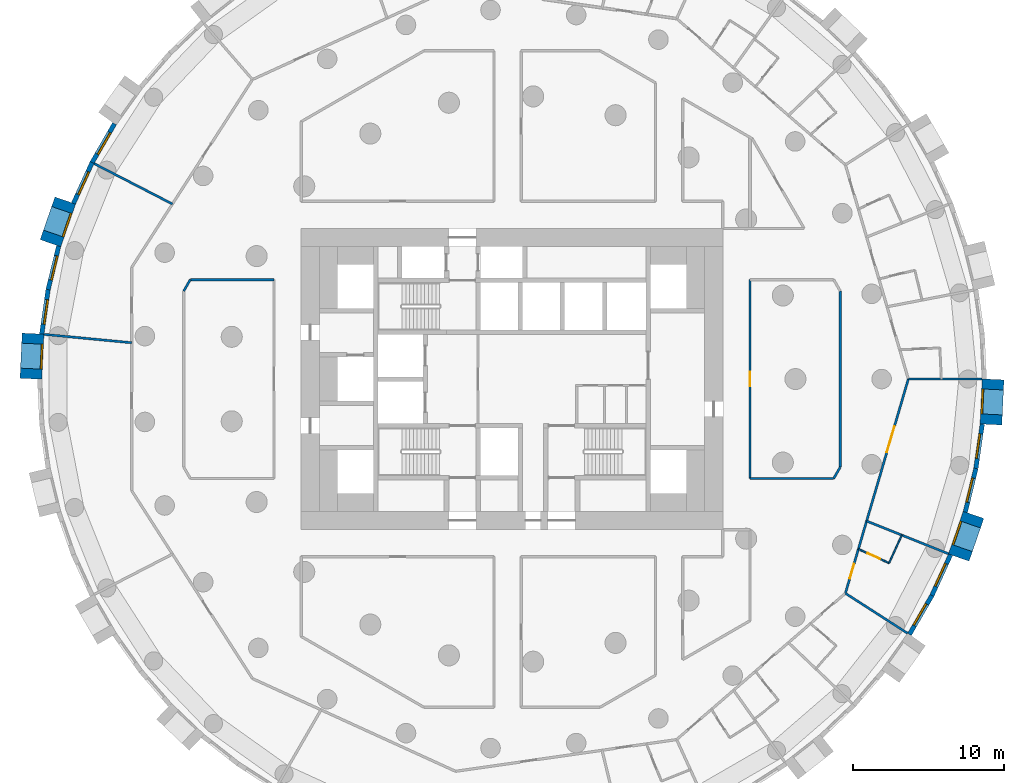
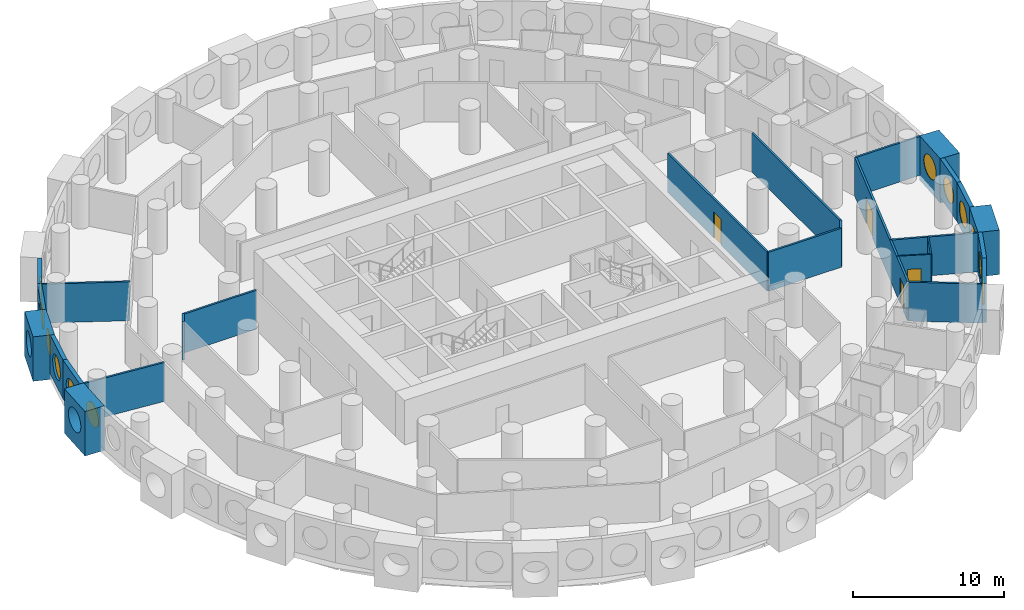
# One storey, part 6 of 12: 26 walls, 12 windows, 4 doors, 16 openings.
"""IFC4 building model written with IfcOpenShell, lengths in metres."""

import ifcopenshell
import ifcopenshell.guid

model = None  # the IFC model being written
_history = None  # IfcOwnerHistory: only IFC2X3 demands one
_inside = {}  # id of a spatial element -> (the spatial element, [elements in it])
_under = {}  # id of a project, library or spatial element -> (it, [spatial elements below it])
_declared = {}  # id of a project -> (the project, [libraries it declares])
_typed = {}  # id of a type object -> (the type object, [elements of that type])
_made_of = {}  # id of a material, layer set ... -> (it, [elements and type objects made of it])


def new_model(schema):
    """Start an empty IFC model of exactly this schema.

    Asked for "IFC4X3", IfcOpenShell would pick the latest addendum, in which some entities
    have other attributes; the version numbers below select the first issue.
    IFC2X3 requires an IfcOwnerHistory on every rooted entity: one is made here for all.
    """
    global model, _history
    if schema == "IFC4X3":
        model = ifcopenshell.file(schema_version=(4, 3, 0, 0))
    else:
        model = ifcopenshell.file(schema=schema)
    _inside.clear()
    _under.clear()
    _declared.clear()
    _typed.clear()
    _made_of.clear()
    _history = None
    if model.schema == "IFC2X3":
        org = make("IfcOrganization", Name="unknown")
        user = make(
            "IfcPersonAndOrganization",
            ThePerson=make("IfcPerson", FamilyName="unknown"),
            TheOrganization=org,
        )
        app = make(
            "IfcApplication",
            ApplicationDeveloper=org,
            Version="unknown",
            ApplicationFullName="unknown",
            ApplicationIdentifier="unknown",
        )
        _history = make(
            "IfcOwnerHistory",
            OwningUser=user,
            OwningApplication=app,
            ChangeAction="ADDED",
            CreationDate=0,
        )
    return model


def make(cls, **values):
    """One entity of the class cls with the attributes given. An attribute that is None is left unset."""
    return model.create_entity(
        cls, **{name: value for name, value in values.items() if value is not None}
    )


def rooted(cls, **values):
    """An entity with a GlobalId (a new one), such as an element, a storey or a relation."""
    return make(cls, GlobalId=ifcopenshell.guid.new(), OwnerHistory=_history, **values)


def si_unit(unit_type, name, prefix=None):
    """IfcSIUnit, for example si_unit("LENGTHUNIT", "METRE", prefix="MILLI")."""
    return make("IfcSIUnit", UnitType=unit_type, Prefix=prefix, Name=name)


def assignment(units):
    """IfcUnitAssignment: the units of a project."""
    return None if units is None else make("IfcUnitAssignment", Units=units)


def point(xyz):
    """IfcCartesianPoint."""
    return None if xyz is None else make("IfcCartesianPoint", Coordinates=xyz)


def direction(xyz):
    """IfcDirection."""
    return None if xyz is None else make("IfcDirection", DirectionRatios=xyz)


def frame(location, z_axis=None, x_axis=None):
    """IfcAxis2Placement3D, a coordinate frame: its origin and axes. An axis left out is left unset."""
    return make(
        "IfcAxis2Placement3D",
        Location=point(location),
        Axis=direction(z_axis),
        RefDirection=direction(x_axis),
    )


def frame_2d(location, x_axis=None):
    """IfcAxis2Placement2D, a coordinate frame in the plane: its origin and x axis."""
    return make(
        "IfcAxis2Placement2D", Location=point(location), RefDirection=direction(x_axis)
    )


def origin():
    """The frame at (0, 0, 0) with its axes left unset."""
    return frame((0.0, 0.0, 0.0))


def origin_2d():
    """The frame at (0, 0) in the plane with its x axis left unset."""
    return frame_2d((0.0, 0.0))


def place(relative_to, where):
    """IfcLocalPlacement: puts the frame where relative to a parent placement (None: the world)."""
    return make(
        "IfcLocalPlacement", PlacementRelTo=relative_to, RelativePlacement=where
    )


def context(
    kind, dimensions, precision=None, world=None, true_north=None, identifier=None
):
    """IfcGeometricRepresentationContext, for example the 3D "Model" context."""
    return make(
        "IfcGeometricRepresentationContext",
        ContextIdentifier=identifier,
        ContextType=kind,
        CoordinateSpaceDimension=dimensions,
        Precision=precision,
        WorldCoordinateSystem=world,
        TrueNorth=true_north,
    )


def subcontext(parent, identifier, kind, view, scale=None):
    """IfcGeometricRepresentationSubContext, for example "Body" below "Model"."""
    return make(
        "IfcGeometricRepresentationSubContext",
        ContextIdentifier=identifier,
        ContextType=kind,
        ParentContext=parent,
        TargetScale=scale,
        TargetView=view,
    )


def project(units=None, contexts=None):
    """IfcProject with its units and contexts."""
    return rooted(
        "IfcProject",
        Name="project",
        RepresentationContexts=contexts,
        UnitsInContext=assignment(units),
    )


def spatial(cls, under=None, at=None, **own):
    """A site, building, storey or space (cls), placed at a placement, below another one or the project."""
    s = rooted(cls, ObjectPlacement=at, **own)
    if under is not None:
        _under.setdefault(under.id(), (under, []))[1].append(s)
    return s


def profile(cls, at=None, kind="AREA", **sizes):
    """A parametric profile (cls). Its sizes go by their IFC names, for example OverallWidth=200.0."""
    return make(cls, ProfileType=kind, Position=at, **sizes)


def rectangle(**sizes):
    """IfcRectangleProfileDef."""
    return profile("IfcRectangleProfileDef", **sizes)


def circle(**sizes):
    """IfcCircleProfileDef."""
    return profile("IfcCircleProfileDef", **sizes)


def extrude(swept, where, along, depth):
    """IfcExtrudedAreaSolid: the profile swept, set in the frame where, extruded along a direction by depth."""
    return make(
        "IfcExtrudedAreaSolid",
        SweptArea=swept,
        Position=where,
        ExtrudedDirection=direction(along),
        Depth=depth,
    )


def shape(context_of_items, identifier, shape_type, items):
    """IfcShapeRepresentation: the items that make up one representation, for example the "Body"."""
    return make(
        "IfcShapeRepresentation",
        ContextOfItems=context_of_items,
        RepresentationIdentifier=identifier,
        RepresentationType=shape_type,
        Items=items,
    )


def material(Name=None, Category=None):
    """IfcMaterial."""
    return make("IfcMaterial", Name=Name, Category=Category)


def layer(
    of_material, thickness, ventilated=None, Name=None, Category=None, Priority=None
):
    """IfcMaterialLayer: one layer of a wall or slab, of a material (None: an air gap)."""
    return make(
        "IfcMaterialLayer",
        Material=of_material,
        LayerThickness=thickness,
        IsVentilated=ventilated,
        Name=Name,
        Category=Category,
        Priority=Priority,
    )


def layer_set(layers, Name=None):
    """IfcMaterialLayerSet."""
    return make("IfcMaterialLayerSet", MaterialLayers=layers, LayerSetName=Name)


def made_of(thing, what):
    """Note that an element or type object is made of a material, layer set ...; save() writes the relation."""
    if what is not None:
        _made_of.setdefault(what.id(), (what, []))[1].append(thing)
    return thing


def type_object(cls, material=None, **own):
    """A type object (cls), such as IfcWallType, which elements share."""
    return made_of(rooted(cls, **own), material)


def element(
    cls,
    number,
    at=None,
    inside=None,
    cuts=None,
    type_object=None,
    material=None,
    context=None,
    identifier="Body",
    shape_type=None,
    held_by="IfcProductDefinitionShape",
    body=None,
    shapes=None,
    **own,
):
    """One element of the class cls, such as IfcWall. Its Tag is "e" and its number.

    at: its placement. inside: the storey or other place that contains it. cuts: it is an
    opening in that element (IfcRelVoidsElement). A single representation is given by context,
    identifier, shape_type and body (its items); several are given by shapes. held_by: the class
    of the entity that holds the representations. save() writes the other relations.
    """
    e = rooted(cls, Tag="e%d" % number, ObjectPlacement=at, **own)
    if body is not None:
        shapes = [shape(context, identifier, shape_type, body)]
    if shapes is not None:
        e.Representation = make(held_by, Representations=shapes)
    if inside is not None:
        _inside.setdefault(inside.id(), (inside, []))[1].append(e)
    if cuts is not None:
        rooted(
            "IfcRelVoidsElement", RelatingBuildingElement=cuts, RelatedOpeningElement=e
        )
    if type_object is not None:
        _typed.setdefault(type_object.id(), (type_object, []))[1].append(e)
    return made_of(e, material)


def fill(opening, filler):
    """IfcRelFillsElement: the door or window that sits in an opening."""
    return rooted(
        "IfcRelFillsElement",
        RelatingOpeningElement=opening,
        RelatedBuildingElement=filler,
    )


def aggregate(whole, parts):
    """IfcRelAggregates: a whole, such as a stair, and the parts it consists of."""
    return rooted("IfcRelAggregates", RelatingObject=whole, RelatedObjects=parts)


def save(model, path):
    """Write the relations noted so far, then the file.

    IfcRelAggregates (storeys below a building ...), IfcRelContainedInSpatialStructure (elements
    in a storey), IfcRelDefinesByType, IfcRelAssociatesMaterial and IfcRelDeclares: one each for
    every whole, place, type object, material and project.
    """
    for whole, parts in _under.values():
        aggregate(whole, parts)
    for where, things in _inside.values():
        rooted(
            "IfcRelContainedInSpatialStructure",
            RelatedElements=things,
            RelatingStructure=where,
        )
    for kind, things in _typed.values():
        rooted("IfcRelDefinesByType", RelatedObjects=things, RelatingType=kind)
    for what, things in _made_of.values():
        rooted("IfcRelAssociatesMaterial", RelatedObjects=things, RelatingMaterial=what)
    for by, libraries in _declared.values():
        rooted("IfcRelDeclares", RelatingContext=by, RelatedDefinitions=libraries)
    model.write(path)


model = new_model("IFC4")

# Units and contexts
model_context = context("Model", 3, precision=1e-05, world=origin(), true_north=direction((0.0, 1.0)))
body_context = subcontext(model_context, "Body", "Model", "MODEL_VIEW")
ifc_project = project(units=[si_unit("LENGTHUNIT", "METRE"), si_unit("AREAUNIT", "SQUARE_METRE"), si_unit("VOLUMEUNIT", "CUBIC_METRE"), si_unit("PLANEANGLEUNIT", "RADIAN"), si_unit("MASSUNIT", "GRAM", prefix="KILO")], contexts=[model_context])

# Site, building, storey
site_placement = place(None, origin())
site = spatial("IfcSite", under=ifc_project, at=site_placement, CompositionType="ELEMENT")
building_placement = place(site_placement, origin())
building = spatial("IfcBuilding", under=site, at=building_placement, Name="Tracery Tower", CompositionType="ELEMENT")
storey_placement = place(building_placement, frame((0.0, 0.0, 71.39990234375)))
storey = spatial("IfcBuildingStorey", under=building, at=storey_placement, Name="L17", CompositionType="ELEMENT", Elevation=71.39990234375)

# Wall, opening, window
ifc_material_1 = material(Name="Precast concrete C50/60", Category="concrete")
ifc_layer_1 = layer(ifc_material_1, 1.449951171875)
ifc_layer_set_1 = layer_set([ifc_layer_1], Name="Deep-set bay unit 3000 x 3600, slab edge 450")
wall_type_1 = type_object("IfcWallType", Name="Deep-set bay unit 3000 x 3600, slab edge 450", PredefinedType="ELEMENTEDWALL", material=ifc_layer_set_1)
wall_1_placement = place(storey_placement, frame((-29.66796875, 11.85546875, -0.449951171875), z_axis=(0.0, 0.0, 1.0), x_axis=(-0.327071431777, -0.944999618262, 0.0)))
wall_1 = element("IfcWall", 1, at=wall_1_placement, inside=storey, type_object=wall_type_1, Name="Deep-set bay unit 30 at L17", PredefinedType="ELEMENTEDWALL", context=body_context, shape_type="SweptSolid", body=[
    extrude(rectangle(XDim=3.0, YDim=1.449951171875, at=frame_2d((1.5, 0.0))), origin(), (0.0, 0.0, 1.0), 3.60009765625),
])
opening_1_placement = place(wall_1_placement, frame((1.5, 0.0, 2.0)))
opening_1 = element("IfcOpeningElement", 2, at=opening_1_placement, cuts=wall_1, Name="Opening WN1", PredefinedType="OPENING", context=body_context, shape_type="SweptSolid", body=[
    extrude(circle(Radius=0.9000244140625, at=origin_2d()), frame((0.0, 0.73486328125, 0.0), z_axis=(0.0, -1.0, 0.0), x_axis=(1.0, 0.0, 0.0)), (0.0, 0.0, 1.0), 1.469970703125),
])
ifc_material_2 = material(Name="Aluminium frame with tinted double glazing", Category="aluminium")
window_type = type_object("IfcWindowType", Name="Round window 1800", PartitioningType="SINGLE_PANEL", PredefinedType="WINDOW", material=ifc_material_2)
window_1_placement = place(opening_1_placement, origin())
window_1 = element("IfcWindow", 3, at=window_1_placement, inside=storey, type_object=window_type, Name="Round window 30 at L17", OverallHeight=1.800048828125, OverallWidth=1.800048828125, PartitioningType="SINGLE_PANEL", PredefinedType="WINDOW", context=body_context, shape_type="SweptSolid", body=[
    extrude(circle(Radius=0.9000244140625, at=origin_2d()), frame((0.0, 0.69482421875, 0.0), z_axis=(0.0, -1.0, 0.0), x_axis=(1.0, 0.0, 0.0)), (0.0, 0.0, 1.0), 0.10009765625),
])
fill(opening_1, window_1)

wall_2_placement = place(storey_placement, frame((-31.806396484375, 3.016845703125, -0.449951171875), z_axis=(0.0, 0.0, 1.0), x_axis=(-0.047607680889, -0.998866111509, 0.0)))
wall_2 = element("IfcWall", 4, at=wall_2_placement, inside=storey, type_object=wall_type_1, Name="Deep-set bay unit 33 at L17", PredefinedType="ELEMENTEDWALL", context=body_context, shape_type="SweptSolid", body=[
    extrude(rectangle(XDim=3.0, YDim=1.449951171875, at=frame_2d((1.5, 0.0))), origin(), (0.0, 0.0, 1.0), 3.60009765625),
])
opening_2_placement = place(wall_2_placement, frame((1.5, 0.0, 2.0)))
opening_2 = element("IfcOpeningElement", 5, at=opening_2_placement, cuts=wall_2, Name="Opening WN1", PredefinedType="OPENING", context=body_context, shape_type="SweptSolid", body=[
    extrude(circle(Radius=0.9000244140625, at=origin_2d()), frame((0.0, 0.73486328125, 0.0), z_axis=(0.0, -1.0, 0.0), x_axis=(1.0, 0.0, 0.0)), (0.0, 0.0, 1.0), 1.469970703125),
])
window_2_placement = place(opening_2_placement, origin())
window_2 = element("IfcWindow", 6, at=window_2_placement, inside=storey, type_object=window_type, Name="Round window 33 at L17", OverallHeight=1.800048828125, OverallWidth=1.800048828125, PartitioningType="SINGLE_PANEL", PredefinedType="WINDOW", context=body_context, shape_type="SweptSolid", body=[
    extrude(circle(Radius=0.9000244140625, at=origin_2d()), frame((0.0, 0.69482421875, 0.0), z_axis=(0.0, -1.0, 0.0), x_axis=(1.0, 0.0, 0.0)), (0.0, 0.0, 1.0), 0.10009765625),
])
fill(opening_2, window_2)

wall_3_placement = place(storey_placement, frame((29.66796875, -11.85546875, -0.449951171875), z_axis=(0.0, 0.0, 1.0), x_axis=(0.327071431777, 0.944999618262, 0.0)))
wall_3 = element("IfcWall", 7, at=wall_3_placement, inside=storey, type_object=wall_type_1, Name="Deep-set bay unit 63 at L17", PredefinedType="ELEMENTEDWALL", context=body_context, shape_type="SweptSolid", body=[
    extrude(rectangle(XDim=3.0, YDim=1.449951171875, at=frame_2d((1.5, 0.0))), origin(), (0.0, 0.0, 1.0), 3.60009765625),
])
opening_3_placement = place(wall_3_placement, frame((1.5, 0.0, 2.0)))
opening_3 = element("IfcOpeningElement", 8, at=opening_3_placement, cuts=wall_3, Name="Opening WN1", PredefinedType="OPENING", context=body_context, shape_type="SweptSolid", body=[
    extrude(circle(Radius=0.9000244140625, at=origin_2d()), frame((0.0, 0.73486328125, 0.0), z_axis=(0.0, -1.0, 0.0), x_axis=(1.0, 0.0, 0.0)), (0.0, 0.0, 1.0), 1.469970703125),
])
window_3_placement = place(opening_3_placement, origin())
window_3 = element("IfcWindow", 9, at=window_3_placement, inside=storey, type_object=window_type, Name="Round window 63 at L17", OverallHeight=1.800048828125, OverallWidth=1.800048828125, PartitioningType="SINGLE_PANEL", PredefinedType="WINDOW", context=body_context, shape_type="SweptSolid", body=[
    extrude(circle(Radius=0.9000244140625, at=origin_2d()), frame((0.0, 0.69482421875, 0.0), z_axis=(0.0, -1.0, 0.0), x_axis=(1.0, 0.0, 0.0)), (0.0, 0.0, 1.0), 0.10009765625),
])
fill(opening_3, window_3)

wall_4_placement = place(storey_placement, frame((31.806396484375, -3.016845703125, -0.449951171875), z_axis=(0.0, 0.0, 1.0), x_axis=(0.047607680889, 0.998866111509, 0.0)))
wall_4 = element("IfcWall", 10, at=wall_4_placement, inside=storey, type_object=wall_type_1, Name="Deep-set bay unit 66 at L17", PredefinedType="ELEMENTEDWALL", context=body_context, shape_type="SweptSolid", body=[
    extrude(rectangle(XDim=3.0, YDim=1.449951171875, at=frame_2d((1.5, 0.0))), origin(), (0.0, 0.0, 1.0), 3.60009765625),
])
opening_4_placement = place(wall_4_placement, frame((1.5, 0.0, 2.0)))
opening_4 = element("IfcOpeningElement", 11, at=opening_4_placement, cuts=wall_4, Name="Opening WN1", PredefinedType="OPENING", context=body_context, shape_type="SweptSolid", body=[
    extrude(circle(Radius=0.9000244140625, at=origin_2d()), frame((0.0, 0.73486328125, 0.0), z_axis=(0.0, -1.0, 0.0), x_axis=(1.0, 0.0, 0.0)), (0.0, 0.0, 1.0), 1.469970703125),
])
window_4_placement = place(opening_4_placement, origin())
window_4 = element("IfcWindow", 12, at=window_4_placement, inside=storey, type_object=window_type, Name="Round window 66 at L17", OverallHeight=1.800048828125, OverallWidth=1.800048828125, PartitioningType="SINGLE_PANEL", PredefinedType="WINDOW", context=body_context, shape_type="SweptSolid", body=[
    extrude(circle(Radius=0.9000244140625, at=origin_2d()), frame((0.0, 0.69482421875, 0.0), z_axis=(0.0, -1.0, 0.0), x_axis=(1.0, 0.0, 0.0)), (0.0, 0.0, 1.0), 0.10009765625),
])
fill(opening_4, window_4)

ifc_material_3 = material(Name="Precast concrete C50/60", Category="concrete")
ifc_layer_2 = layer(ifc_material_3, 0.300048828125)
ifc_layer_set_2 = layer_set([ifc_layer_2], Name="Facade panel 3000 x 3150")
wall_type_2 = type_object("IfcWallType", Name="Facade panel 3000 x 3150", PredefinedType="SOLIDWALL", material=ifc_layer_set_2)
wall_5_placement = place(storey_placement, frame((-26.39697265625, 16.95703125, 0.0), z_axis=(0.0, 0.0, 1.0), x_axis=(-0.499999078476, -0.866025935826, 0.0)))
wall_5 = element("IfcWall", 13, at=wall_5_placement, inside=storey, type_object=wall_type_2, Name="Facade panel 28 at L17", PredefinedType="SOLIDWALL", context=body_context, shape_type="SweptSolid", body=[
    extrude(rectangle(XDim=2.9794921875, YDim=0.300048828125, at=frame_2d((1.48974609375, 0.0))), origin(), (0.0, 0.0, 1.0), 3.150146484375),
])
opening_5_placement = place(wall_5_placement, frame((1.48974609375, 0.0, 1.5498046875)))
opening_5 = element("IfcOpeningElement", 14, at=opening_5_placement, cuts=wall_5, Name="Opening WN1", PredefinedType="OPENING", context=body_context, shape_type="SweptSolid", body=[
    extrude(circle(Radius=0.9000244140625, at=origin_2d()), frame((0.0, 0.159912109375, 0.0), z_axis=(0.0, -1.0, 0.0), x_axis=(1.0, 0.0, 0.0)), (0.0, 0.0, 1.0), 0.320068359375),
])
window_5_placement = place(opening_5_placement, origin())
window_5 = element("IfcWindow", 15, at=window_5_placement, inside=storey, type_object=window_type, Name="Round window 28 at L17", OverallHeight=1.800048828125, OverallWidth=1.800048828125, PartitioningType="SINGLE_PANEL", PredefinedType="WINDOW", context=body_context, shape_type="SweptSolid", body=[
    extrude(circle(Radius=0.9000244140625, at=origin_2d()), frame((0.0, 0.1201171875, 0.0), z_axis=(0.0, -1.0, 0.0), x_axis=(1.0, 0.0, 0.0)), (0.0, 0.0, 1.0), 0.10009765625),
])
fill(opening_5, window_5)

wall_6_placement = place(storey_placement, frame((-27.88671875, 14.376708984375, 0.0), z_axis=(0.0, 0.0, 1.0), x_axis=(-0.415407317162, -0.909635509888, 0.0)))
wall_6 = element("IfcWall", 16, at=wall_6_placement, inside=storey, type_object=wall_type_2, Name="Facade panel 29 at L17", PredefinedType="SOLIDWALL", context=body_context, shape_type="SweptSolid", body=[
    extrude(rectangle(XDim=2.979736328125, YDim=0.300048828125, at=frame_2d((1.48974609375, 0.0))), origin(), (0.0, 0.0, 1.0), 3.150146484375),
])
opening_6_placement = place(wall_6_placement, frame((1.48974609375, 0.0, 1.5498046875)))
opening_6 = element("IfcOpeningElement", 17, at=opening_6_placement, cuts=wall_6, Name="Opening WN1", PredefinedType="OPENING", context=body_context, shape_type="SweptSolid", body=[
    extrude(circle(Radius=0.9000244140625, at=origin_2d()), frame((0.0, 0.159912109375, 0.0), z_axis=(0.0, -1.0, 0.0), x_axis=(1.0, 0.0, 0.0)), (0.0, 0.0, 1.0), 0.320068359375),
])
window_6_placement = place(opening_6_placement, origin())
window_6 = element("IfcWindow", 18, at=window_6_placement, inside=storey, type_object=window_type, Name="Round window 29 at L17", OverallHeight=1.800048828125, OverallWidth=1.800048828125, PartitioningType="SINGLE_PANEL", PredefinedType="WINDOW", context=body_context, shape_type="SweptSolid", body=[
    extrude(circle(Radius=0.9000244140625, at=origin_2d()), frame((0.0, 0.1201171875, 0.0), z_axis=(0.0, -1.0, 0.0), x_axis=(1.0, 0.0, 0.0)), (0.0, 0.0, 1.0), 0.10009765625),
])
fill(opening_6, window_6)

wall_7_placement = place(storey_placement, frame((-30.10498046875, 8.833251953125, 0.0), z_axis=(0.0, 0.0, 1.0), x_axis=(-0.235743081534, -0.971815414319, 0.0)))
wall_7 = element("IfcWall", 19, at=wall_7_placement, inside=storey, type_object=wall_type_2, Name="Facade panel 31 at L17", PredefinedType="SOLIDWALL", context=body_context, shape_type="SweptSolid", body=[
    extrude(rectangle(XDim=2.9794921875, YDim=0.300048828125, at=frame_2d((1.48974609375, 0.0))), origin(), (0.0, 0.0, 1.0), 3.150146484375),
])
opening_7_placement = place(wall_7_placement, frame((1.48974609375, 0.0, 1.5498046875)))
opening_7 = element("IfcOpeningElement", 20, at=opening_7_placement, cuts=wall_7, Name="Opening WN1", PredefinedType="OPENING", context=body_context, shape_type="SweptSolid", body=[
    extrude(circle(Radius=0.9000244140625, at=origin_2d()), frame((0.0, 0.159912109375, 0.0), z_axis=(0.0, -1.0, 0.0), x_axis=(1.0, 0.0, 0.0)), (0.0, 0.0, 1.0), 0.320068359375),
])
window_7_placement = place(opening_7_placement, origin())
window_7 = element("IfcWindow", 21, at=window_7_placement, inside=storey, type_object=window_type, Name="Round window 31 at L17", OverallHeight=1.800048828125, OverallWidth=1.800048828125, PartitioningType="SINGLE_PANEL", PredefinedType="WINDOW", context=body_context, shape_type="SweptSolid", body=[
    extrude(circle(Radius=0.9000244140625, at=origin_2d()), frame((0.0, 0.1201171875, 0.0), z_axis=(0.0, -1.0, 0.0), x_axis=(1.0, 0.0, 0.0)), (0.0, 0.0, 1.0), 0.10009765625),
])
fill(opening_7, window_7)

wall_8_placement = place(storey_placement, frame((-30.807373046875, 5.937744140625, 0.0), z_axis=(0.0, 0.0, 1.0), x_axis=(-0.142315996627, -0.989821275334, 0.0)))
wall_8 = element("IfcWall", 22, at=wall_8_placement, inside=storey, type_object=wall_type_2, Name="Facade panel 32 at L17", PredefinedType="SOLIDWALL", context=body_context, shape_type="SweptSolid", body=[
    extrude(rectangle(XDim=2.979736328125, YDim=0.300048828125, at=frame_2d((1.48974609375, 0.0))), origin(), (0.0, 0.0, 1.0), 3.150146484375),
])
opening_8_placement = place(wall_8_placement, frame((1.48974609375, 0.0, 1.5498046875)))
opening_8 = element("IfcOpeningElement", 23, at=opening_8_placement, cuts=wall_8, Name="Opening WN1", PredefinedType="OPENING", context=body_context, shape_type="SweptSolid", body=[
    extrude(circle(Radius=0.9000244140625, at=origin_2d()), frame((0.0, 0.159912109375, 0.0), z_axis=(0.0, -1.0, 0.0), x_axis=(1.0, 0.0, 0.0)), (0.0, 0.0, 1.0), 0.320068359375),
])
window_8_placement = place(opening_8_placement, origin())
window_8 = element("IfcWindow", 24, at=window_8_placement, inside=storey, type_object=window_type, Name="Round window 32 at L17", OverallHeight=1.800048828125, OverallWidth=1.800048828125, PartitioningType="SINGLE_PANEL", PredefinedType="WINDOW", context=body_context, shape_type="SweptSolid", body=[
    extrude(circle(Radius=0.9000244140625, at=origin_2d()), frame((0.0, 0.1201171875, 0.0), z_axis=(0.0, -1.0, 0.0), x_axis=(1.0, 0.0, 0.0)), (0.0, 0.0, 1.0), 0.10009765625),
])
fill(opening_8, window_8)

wall_9_placement = place(storey_placement, frame((26.39697265625, -16.95703125, 0.0), z_axis=(0.0, 0.0, 1.0), x_axis=(0.499999078476, 0.866025935826, 0.0)))
wall_9 = element("IfcWall", 25, at=wall_9_placement, inside=storey, type_object=wall_type_2, Name="Facade panel 61 at L17", PredefinedType="SOLIDWALL", context=body_context, shape_type="SweptSolid", body=[
    extrude(rectangle(XDim=2.9794921875, YDim=0.300048828125, at=frame_2d((1.48974609375, 0.0))), origin(), (0.0, 0.0, 1.0), 3.150146484375),
])
opening_9_placement = place(wall_9_placement, frame((1.48974609375, 0.0, 1.5498046875)))
opening_9 = element("IfcOpeningElement", 26, at=opening_9_placement, cuts=wall_9, Name="Opening WN1", PredefinedType="OPENING", context=body_context, shape_type="SweptSolid", body=[
    extrude(circle(Radius=0.9000244140625, at=origin_2d()), frame((0.0, 0.159912109375, 0.0), z_axis=(0.0, -1.0, 0.0), x_axis=(1.0, 0.0, 0.0)), (0.0, 0.0, 1.0), 0.320068359375),
])
window_9_placement = place(opening_9_placement, origin())
window_9 = element("IfcWindow", 27, at=window_9_placement, inside=storey, type_object=window_type, Name="Round window 61 at L17", OverallHeight=1.800048828125, OverallWidth=1.800048828125, PartitioningType="SINGLE_PANEL", PredefinedType="WINDOW", context=body_context, shape_type="SweptSolid", body=[
    extrude(circle(Radius=0.9000244140625, at=origin_2d()), frame((0.0, 0.1201171875, 0.0), z_axis=(0.0, -1.0, 0.0), x_axis=(1.0, 0.0, 0.0)), (0.0, 0.0, 1.0), 0.10009765625),
])
fill(opening_9, window_9)

wall_10_placement = place(storey_placement, frame((27.88671875, -14.376708984375, 0.0), z_axis=(0.0, 0.0, 1.0), x_axis=(0.415407317162, 0.909635509888, 0.0)))
wall_10 = element("IfcWall", 28, at=wall_10_placement, inside=storey, type_object=wall_type_2, Name="Facade panel 62 at L17", PredefinedType="SOLIDWALL", context=body_context, shape_type="SweptSolid", body=[
    extrude(rectangle(XDim=2.979736328125, YDim=0.300048828125, at=frame_2d((1.48974609375, 0.0))), origin(), (0.0, 0.0, 1.0), 3.150146484375),
])
opening_10_placement = place(wall_10_placement, frame((1.48974609375, 0.0, 1.5498046875)))
opening_10 = element("IfcOpeningElement", 29, at=opening_10_placement, cuts=wall_10, Name="Opening WN1", PredefinedType="OPENING", context=body_context, shape_type="SweptSolid", body=[
    extrude(circle(Radius=0.9000244140625, at=origin_2d()), frame((0.0, 0.159912109375, 0.0), z_axis=(0.0, -1.0, 0.0), x_axis=(1.0, 0.0, 0.0)), (0.0, 0.0, 1.0), 0.320068359375),
])
window_10_placement = place(opening_10_placement, origin())
window_10 = element("IfcWindow", 30, at=window_10_placement, inside=storey, type_object=window_type, Name="Round window 62 at L17", OverallHeight=1.800048828125, OverallWidth=1.800048828125, PartitioningType="SINGLE_PANEL", PredefinedType="WINDOW", context=body_context, shape_type="SweptSolid", body=[
    extrude(circle(Radius=0.9000244140625, at=origin_2d()), frame((0.0, 0.1201171875, 0.0), z_axis=(0.0, -1.0, 0.0), x_axis=(1.0, 0.0, 0.0)), (0.0, 0.0, 1.0), 0.10009765625),
])
fill(opening_10, window_10)

wall_11_placement = place(storey_placement, frame((30.10498046875, -8.833251953125, 0.0), z_axis=(0.0, 0.0, 1.0), x_axis=(0.235743081534, 0.971815414319, 0.0)))
wall_11 = element("IfcWall", 31, at=wall_11_placement, inside=storey, type_object=wall_type_2, Name="Facade panel 64 at L17", PredefinedType="SOLIDWALL", context=body_context, shape_type="SweptSolid", body=[
    extrude(rectangle(XDim=2.9794921875, YDim=0.300048828125, at=frame_2d((1.48974609375, 0.0))), origin(), (0.0, 0.0, 1.0), 3.150146484375),
])
opening_11_placement = place(wall_11_placement, frame((1.48974609375, 0.0, 1.5498046875)))
opening_11 = element("IfcOpeningElement", 32, at=opening_11_placement, cuts=wall_11, Name="Opening WN1", PredefinedType="OPENING", context=body_context, shape_type="SweptSolid", body=[
    extrude(circle(Radius=0.9000244140625, at=origin_2d()), frame((0.0, 0.159912109375, 0.0), z_axis=(0.0, -1.0, 0.0), x_axis=(1.0, 0.0, 0.0)), (0.0, 0.0, 1.0), 0.320068359375),
])
window_11_placement = place(opening_11_placement, origin())
window_11 = element("IfcWindow", 33, at=window_11_placement, inside=storey, type_object=window_type, Name="Round window 64 at L17", OverallHeight=1.800048828125, OverallWidth=1.800048828125, PartitioningType="SINGLE_PANEL", PredefinedType="WINDOW", context=body_context, shape_type="SweptSolid", body=[
    extrude(circle(Radius=0.9000244140625, at=origin_2d()), frame((0.0, 0.1201171875, 0.0), z_axis=(0.0, -1.0, 0.0), x_axis=(1.0, 0.0, 0.0)), (0.0, 0.0, 1.0), 0.10009765625),
])
fill(opening_11, window_11)

wall_12_placement = place(storey_placement, frame((30.807373046875, -5.937744140625, 0.0), z_axis=(0.0, 0.0, 1.0), x_axis=(0.142315996627, 0.989821275334, 0.0)))
wall_12 = element("IfcWall", 34, at=wall_12_placement, inside=storey, type_object=wall_type_2, Name="Facade panel 65 at L17", PredefinedType="SOLIDWALL", context=body_context, shape_type="SweptSolid", body=[
    extrude(rectangle(XDim=2.979736328125, YDim=0.300048828125, at=frame_2d((1.48974609375, 0.0))), origin(), (0.0, 0.0, 1.0), 3.150146484375),
])
opening_12_placement = place(wall_12_placement, frame((1.48974609375, 0.0, 1.5498046875)))
opening_12 = element("IfcOpeningElement", 35, at=opening_12_placement, cuts=wall_12, Name="Opening WN1", PredefinedType="OPENING", context=body_context, shape_type="SweptSolid", body=[
    extrude(circle(Radius=0.9000244140625, at=origin_2d()), frame((0.0, 0.159912109375, 0.0), z_axis=(0.0, -1.0, 0.0), x_axis=(1.0, 0.0, 0.0)), (0.0, 0.0, 1.0), 0.320068359375),
])
window_12_placement = place(opening_12_placement, origin())
window_12 = element("IfcWindow", 36, at=window_12_placement, inside=storey, type_object=window_type, Name="Round window 65 at L17", OverallHeight=1.800048828125, OverallWidth=1.800048828125, PartitioningType="SINGLE_PANEL", PredefinedType="WINDOW", context=body_context, shape_type="SweptSolid", body=[
    extrude(circle(Radius=0.9000244140625, at=origin_2d()), frame((0.0, 0.1201171875, 0.0), z_axis=(0.0, -1.0, 0.0), x_axis=(1.0, 0.0, 0.0)), (0.0, 0.0, 1.0), 0.10009765625),
])
fill(opening_12, window_12)

# Wall, opening, door
ifc_material_4 = material(Name="Plasterboard on steel studs", Category="steel")
ifc_layer_3 = layer(ifc_material_4, 0.10009765625)
ifc_layer_set_3 = layer_set([ifc_layer_3], Name="Partition 100 wet wall")
wall_type_3 = type_object("IfcWallType", Name="Partition 100 wet wall", PredefinedType="PARTITIONING", material=ifc_layer_set_3)
wall_13_placement = place(storey_placement, frame((23.0029296875, -11.291015625, 0.0), z_axis=(0.0, 0.0, 1.0), x_axis=(0.90975773562, -0.41513956988, 0.0)))
wall_13 = element("IfcWall", 37, at=wall_13_placement, inside=storey, type_object=wall_type_3, Name="Wet wall RA5-099", PredefinedType="PARTITIONING", context=body_context, shape_type="SweptSolid", body=[
    extrude(rectangle(XDim=2.242431640625, YDim=0.10009765625, at=frame_2d((1.12109375, 0.0))), origin(), (0.0, 0.0, 1.0), 3.150146484375),
])
opening_13_placement = place(wall_13_placement, frame((0.6708984375, 0.0, 0.0)))
opening_13 = element("IfcOpeningElement", 38, at=opening_13_placement, cuts=wall_13, Name="Opening RA5-39", PredefinedType="OPENING", context=body_context, shape_type="SweptSolid", body=[
    extrude(rectangle(XDim=0.89990234375, YDim=2.0400390625, at=frame_2d((0.449951171875, 1.02001953125))), frame((0.0, 0.050048828125, 0.0), z_axis=(0.0, -1.0, 0.0), x_axis=(1.0, 0.0, 0.0)), (0.0, 0.0, 1.0), 0.10009765625),
])
ifc_material_5 = material(Name="Timber door leaf", Category="wood")
door_type_1 = type_object("IfcDoorType", Name="Door en-suite 900", OperationType="NOTDEFINED", PredefinedType="DOOR", material=ifc_material_5)
door_1_placement = place(opening_13_placement, origin())
door_1 = element("IfcDoor", 39, at=door_1_placement, inside=storey, type_object=door_type_1, Name="En-suite door RA5-39", OperationType="SINGLE_SWING_LEFT", OverallHeight=2.0400390625, OverallWidth=0.89990234375, PredefinedType="DOOR", context=body_context, shape_type="SweptSolid", body=[
    extrude(rectangle(XDim=0.89990234375, YDim=2.0400390625, at=frame_2d((0.449951171875, 1.02001953125))), frame((0.0, 0.02490234375, 0.0), z_axis=(0.0, -1.0, 0.0), x_axis=(1.0, 0.0, 0.0)), (0.0, 0.0, 1.0), 0.050048828125),
])
fill(opening_13, door_1)

# Walls
wall_14_placement = place(storey_placement, frame((25.04296875, -12.221923828125, 0.0), z_axis=(0.0, 0.0, 1.0), x_axis=(0.41546015385, 0.909611378866, 0.0)))
element("IfcWall", 40, at=wall_14_placement, inside=storey, type_object=wall_type_3, Name="Wet wall RA5-100", PredefinedType="PARTITIONING", context=body_context, shape_type="SweptSolid", body=[
    extrude(rectangle(XDim=2.04150390625, YDim=0.10009765625, at=frame_2d((1.020751953125, 0.0))), origin(), (0.0, 0.0, 1.0), 3.150146484375),
])
ifc_material_6 = material(Name="Plasterboard on steel studs", Category="steel")
ifc_layer_4 = layer(ifc_material_6, 0.14990234375)
ifc_layer_set_4 = layer_set([ifc_layer_4], Name="Partition 150 acoustic unit wall")
wall_type_4 = type_object("IfcWallType", Name="Partition 150 acoustic unit wall", PredefinedType="PARTITIONING", material=ifc_layer_set_4)
wall_15_placement = place(storey_placement, frame((26.319091796875, 0.0, 0.0), z_axis=(0.0, 0.0, 1.0), x_axis=(1.0, 0.0, 0.0)))
element("IfcWall", 41, at=wall_15_placement, inside=storey, type_object=wall_type_4, Name="Unit wall RA5-061", PredefinedType="PARTITIONING", context=body_context, shape_type="SweptSolid", body=[
    extrude(rectangle(XDim=4.905029296875, YDim=0.14990234375, at=frame_2d((2.45263671875, 0.0))), origin(), (0.0, 0.0, 1.0), 3.150146484375),
])
wall_16_placement = place(storey_placement, frame((-27.7529296875, 14.30810546875, 0.0), z_axis=(0.0, 0.0, 1.0), x_axis=(0.88877955153, -0.45833493079, 0.0)))
element("IfcWall", 42, at=wall_16_placement, inside=storey, type_object=wall_type_4, Name="Unit wall RA5-082", PredefinedType="PARTITIONING", context=body_context, shape_type="SweptSolid", body=[
    extrude(rectangle(XDim=5.856201171875, YDim=0.14990234375, at=frame_2d((2.92822265625, 0.0))), origin(), (0.0, 0.0, 1.0), 3.150146484375),
])
wall_17_placement = place(storey_placement, frame((-31.0830078125, 2.968017578125, 0.0), z_axis=(0.0, 0.0, 1.0), x_axis=(0.995465070325, -0.095127775983, 0.0)))
element("IfcWall", 43, at=wall_17_placement, inside=storey, type_object=wall_type_4, Name="Unit wall RA5-083", PredefinedType="PARTITIONING", context=body_context, shape_type="SweptSolid", body=[
    extrude(rectangle(XDim=5.856689453125, YDim=0.14990234375, at=frame_2d((2.92822265625, 0.0))), origin(), (0.0, 0.0, 1.0), 3.150146484375),
])
wall_18_placement = place(storey_placement, frame((22.14111328125, -14.22900390625, 0.0), z_axis=(0.0, 0.0, 1.0), x_axis=(0.841265781699, -0.540621757371, 0.0)))
element("IfcWall", 44, at=wall_18_placement, inside=storey, type_object=wall_type_4, Name="Unit wall RA5-098", PredefinedType="PARTITIONING", context=body_context, shape_type="SweptSolid", body=[
    extrude(rectangle(XDim=4.90576171875, YDim=0.14990234375, at=frame_2d((2.452880859375, 0.0))), origin(), (0.0, 0.0, 1.0), 3.150146484375),
])
wall_19_placement = place(storey_placement, frame((23.550048828125, -9.427734375, 0.0), z_axis=(0.0, 0.0, 1.0), x_axis=(0.928355916729, -0.371692469489, 0.0)))
element("IfcWall", 45, at=wall_19_placement, inside=storey, type_object=wall_type_4, Name="Unit wall RA5-101", PredefinedType="PARTITIONING", context=body_context, shape_type="SweptSolid", body=[
    extrude(rectangle(XDim=5.857666015625, YDim=0.14990234375, at=frame_2d((2.9287109375, 0.0))), origin(), (0.0, 0.0, 1.0), 3.150146484375),
])

# Wall, opening, door
ifc_material_7 = material(Name="Plasterboard on steel studs", Category="steel")
ifc_layer_5 = layer(ifc_material_7, 0.14990234375)
ifc_layer_set_5 = layer_set([ifc_layer_5], Name="Partition 150 corridor wall")
wall_type_5 = type_object("IfcWallType", Name="Partition 150 corridor wall", PredefinedType="PARTITIONING", material=ifc_layer_set_5)
wall_20_placement = place(storey_placement, frame((15.800048828125, -6.60400390625, 0.0), z_axis=(0.0, 0.0, 1.0), x_axis=(0.0, 1.0, 0.0)))
wall_20 = element("IfcWall", 46, at=wall_20_placement, inside=storey, type_object=wall_type_5, Name="Corridor wall RA5-011", PredefinedType="PARTITIONING", context=body_context, shape_type="SweptSolid", body=[
    extrude(rectangle(XDim=13.2080078125, YDim=0.14990234375, at=frame_2d((6.60400390625, 0.0))), origin(), (0.0, 0.0, 1.0), 3.150146484375),
])
opening_14_placement = place(wall_20_placement, frame((6.12890625, 0.0, 0.0)))
opening_14 = element("IfcOpeningElement", 47, at=opening_14_placement, cuts=wall_20, Name="Opening RA5-07", PredefinedType="OPENING", context=body_context, shape_type="SweptSolid", body=[
    extrude(rectangle(XDim=0.949951171875, YDim=2.10009765625, at=frame_2d((0.47509765625, 1.050048828125))), frame((0.0, 0.074951171875, 0.0), z_axis=(0.0, -1.0, 0.0), x_axis=(1.0, 0.0, 0.0)), (0.0, 0.0, 1.0), 0.14990234375),
])
ifc_material_8 = material(Name="Timber door leaf", Category="wood")
door_type_2 = type_object("IfcDoorType", Name="Door store 950", OperationType="NOTDEFINED", PredefinedType="DOOR", material=ifc_material_8)
door_2_placement = place(opening_14_placement, origin())
door_2 = element("IfcDoor", 48, at=door_2_placement, inside=storey, type_object=door_type_2, Name="Store door RA5-07", OperationType="SINGLE_SWING_LEFT", OverallHeight=2.10009765625, OverallWidth=0.949951171875, PredefinedType="DOOR", context=body_context, shape_type="SweptSolid", body=[
    extrude(rectangle(XDim=0.949951171875, YDim=2.10009765625, at=frame_2d((0.47509765625, 1.050048828125))), frame((0.0, 0.02490234375, 0.0), z_axis=(0.0, -1.0, 0.0), x_axis=(1.0, 0.0, 0.0)), (0.0, 0.0, 1.0), 0.050048828125),
])
fill(opening_14, door_2)

# Walls
wall_21_placement = place(storey_placement, frame((15.800048828125, -6.60009765625, 0.0), z_axis=(0.0, 0.0, 1.0), x_axis=(1.0, 0.0, 0.0)))
element("IfcWall", 49, at=wall_21_placement, inside=storey, type_object=wall_type_5, Name="Corridor wall RA5-014", PredefinedType="PARTITIONING", context=body_context, shape_type="SweptSolid", body=[
    extrude(rectangle(XDim=5.56396484375, YDim=0.14990234375, at=frame_2d((2.781982421875, 0.0))), origin(), (0.0, 0.0, 1.0), 3.150146484375),
])
wall_22_placement = place(storey_placement, frame((21.364013671875, -6.60009765625, 0.0), z_axis=(0.0, 0.0, 1.0), x_axis=(0.500277597875, 0.865865073245, 0.0)))
element("IfcWall", 50, at=wall_22_placement, inside=storey, type_object=wall_type_5, Name="Corridor wall RA5-015", PredefinedType="PARTITIONING", context=body_context, shape_type="SweptSolid", body=[
    extrude(rectangle(XDim=0.87548828125, YDim=0.14990234375, at=frame_2d((0.437744140625, 0.0))), origin(), (0.0, 0.0, 1.0), 3.150146484375),
])
wall_23_placement = place(storey_placement, frame((21.802001953125, -5.842041015625, 0.0), z_axis=(0.0, 0.0, 1.0), x_axis=(0.0, 1.0, 0.0)))
element("IfcWall", 51, at=wall_23_placement, inside=storey, type_object=wall_type_5, Name="Corridor wall RA5-016", PredefinedType="PARTITIONING", context=body_context, shape_type="SweptSolid", body=[
    extrude(rectangle(XDim=11.68408203125, YDim=0.14990234375, at=frame_2d((5.842041015625, 0.0))), origin(), (0.0, 0.0, 1.0), 3.150146484375),
])

# Wall, openings, doors
wall_24_placement = place(storey_placement, frame((22.14111328125, -14.22900390625, 0.0), z_axis=(0.0, 0.0, 1.0), x_axis=(0.281765208947, 0.959483385488, 0.0)))
wall_24 = element("IfcWall", 52, at=wall_24_placement, inside=storey, type_object=wall_type_5, Name="Corridor wall RA5-023", PredefinedType="PARTITIONING", context=body_context, shape_type="SweptSolid", body=[
    extrude(rectangle(XDim=14.82958984375, YDim=0.14990234375, at=frame_2d((7.414794921875, 0.0))), origin(), (0.0, 0.0, 1.0), 3.150146484375),
])
opening_15_placement = place(wall_24_placement, frame((1.033203125, 0.0, 0.0)))
opening_15 = element("IfcOpeningElement", 53, at=opening_15_placement, cuts=wall_24, Name="Opening RA5-40", PredefinedType="OPENING", context=body_context, shape_type="SweptSolid", body=[
    extrude(rectangle(XDim=1.0, YDim=2.10009765625, at=frame_2d((0.5, 1.050048828125))), frame((0.0, 0.074951171875, 0.0), z_axis=(0.0, -1.0, 0.0), x_axis=(1.0, 0.0, 0.0)), (0.0, 0.0, 1.0), 0.14990234375),
])
opening_16_placement = place(wall_24_placement, frame((9.7646484375, 0.0, 0.0)))
opening_16 = element("IfcOpeningElement", 54, at=opening_16_placement, cuts=wall_24, Name="Opening RA5-41", PredefinedType="OPENING", context=body_context, shape_type="SweptSolid", body=[
    extrude(rectangle(XDim=1.800048828125, YDim=2.10009765625, at=frame_2d((0.89990234375, 1.050048828125))), frame((0.0, 0.074951171875, 0.0), z_axis=(0.0, -1.0, 0.0), x_axis=(1.0, 0.0, 0.0)), (0.0, 0.0, 1.0), 0.14990234375),
])
ifc_material_9 = material(Name="Timber door leaf", Category="wood")
door_type_3 = type_object("IfcDoorType", Name="Door double lounge 1800", OperationType="NOTDEFINED", PredefinedType="DOOR", material=ifc_material_9)
door_3_placement = place(opening_16_placement, origin())
door_3 = element("IfcDoor", 55, at=door_3_placement, inside=storey, type_object=door_type_3, Name="Double lounge door RA5-41", OperationType="DOUBLE_DOOR_SINGLE_SWING", OverallHeight=2.10009765625, OverallWidth=1.800048828125, PredefinedType="DOOR", context=body_context, shape_type="SweptSolid", body=[
    extrude(rectangle(XDim=1.800048828125, YDim=2.10009765625, at=frame_2d((0.89990234375, 1.050048828125))), frame((0.0, 0.02490234375, 0.0), z_axis=(0.0, -1.0, 0.0), x_axis=(1.0, 0.0, 0.0)), (0.0, 0.0, 1.0), 0.050048828125),
])
fill(opening_16, door_3)
ifc_material_10 = material(Name="Timber door leaf", Category="wood")
door_type_4 = type_object("IfcDoorType", Name="Door unit entrance 1000", OperationType="NOTDEFINED", PredefinedType="DOOR", material=ifc_material_10)
door_4_placement = place(opening_15_placement, origin())
door_4 = element("IfcDoor", 56, at=door_4_placement, inside=storey, type_object=door_type_4, Name="Unit entrance door RA5-40", OperationType="SINGLE_SWING_LEFT", OverallHeight=2.10009765625, OverallWidth=1.0, PredefinedType="DOOR", context=body_context, shape_type="SweptSolid", body=[
    extrude(rectangle(XDim=1.0, YDim=2.10009765625, at=frame_2d((0.5, 1.050048828125))), frame((0.0, 0.02490234375, 0.0), z_axis=(0.0, -1.0, 0.0), x_axis=(1.0, 0.0, 0.0)), (0.0, 0.0, 1.0), 0.050048828125),
])
fill(opening_15, door_4)

# Walls
wall_25_placement = place(storey_placement, frame((-21.364013671875, 6.60009765625, 0.0), z_axis=(0.0, 0.0, 1.0), x_axis=(1.0, 0.0, 0.0)))
element("IfcWall", 57, at=wall_25_placement, inside=storey, type_object=wall_type_5, Name="Corridor wall RA5-038", PredefinedType="PARTITIONING", context=body_context, shape_type="SweptSolid", body=[
    extrude(rectangle(XDim=5.56396484375, YDim=0.14990234375, at=frame_2d((2.781982421875, 0.0))), origin(), (0.0, 0.0, 1.0), 3.150146484375),
])
wall_26_placement = place(storey_placement, frame((-21.802001953125, 5.842041015625, 0.0), z_axis=(0.0, 0.0, 1.0), x_axis=(0.500277597875, 0.865865073245, 0.0)))
element("IfcWall", 58, at=wall_26_placement, inside=storey, type_object=wall_type_5, Name="Corridor wall RA5-039", PredefinedType="PARTITIONING", context=body_context, shape_type="SweptSolid", body=[
    extrude(rectangle(XDim=0.87548828125, YDim=0.14990234375, at=frame_2d((0.437744140625, 0.0))), origin(), (0.0, 0.0, 1.0), 3.150146484375),
])

save(model, "model.ifc")
